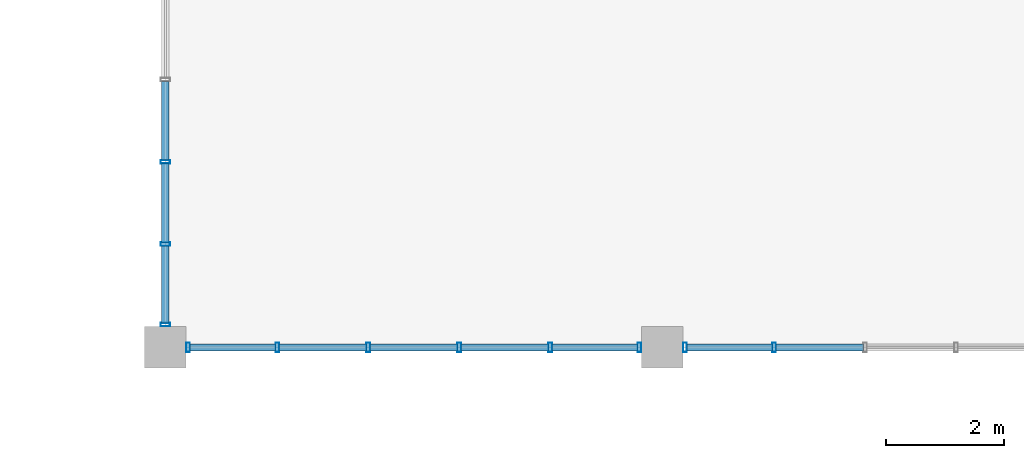
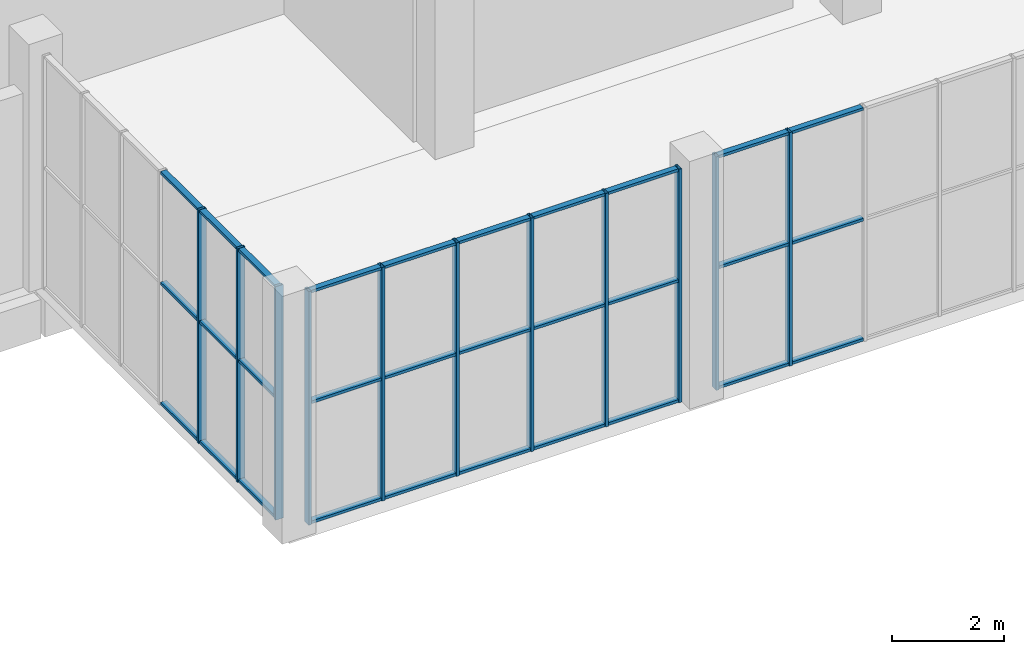
# One storey, part 50 of 91: 41 members, 3 elements without a shape of their own.
"""IFC4 building model written with IfcOpenShell, lengths in metres."""

from ifc_helpers import new_model, si_unit, direction, frame, origin, origin_2d, place, context, subcontext, project, spatial, hollow_rectangle, extrude, material, material_profile, profile_set, type_object, element, aggregate, save


model = new_model("IFC4")

# Units and contexts
model_context = context("Model", 3, precision=1e-05, world=origin(), true_north=direction((0.0, 1.0)))
body_context = subcontext(model_context, "Body", "Model", "MODEL_VIEW")
ifc_project = project(units=[si_unit("LENGTHUNIT", "METRE"), si_unit("AREAUNIT", "SQUARE_METRE"), si_unit("VOLUMEUNIT", "CUBIC_METRE"), si_unit("PLANEANGLEUNIT", "RADIAN"), si_unit("MASSUNIT", "GRAM", prefix="KILO")], contexts=[model_context])

# Site, building, storey
site_placement = place(None, origin())
site = spatial("IfcSite", under=ifc_project, at=site_placement, CompositionType="ELEMENT")
building_placement = place(site_placement, origin())
building = spatial("IfcBuilding", under=site, at=building_placement, Name="Khurvash Pelagic Aquarium", CompositionType="ELEMENT")
storey_placement = place(building_placement, origin())
storey = spatial("IfcBuildingStorey", under=building, at=storey_placement, Name="L00", CompositionType="ELEMENT", Elevation=0.0)

# Curtain wall, members
ifc_material_1 = material(Name="Anodised aluminium and low-E laminated glass", Category="aluminium")
curtain_wall_type_1 = type_object("IfcCurtainWallType", Name="CW-05", PredefinedType="USERDEFINED", material=ifc_material_1)
curtain_wall_1_placement = place(storey_placement, origin())
curtain_wall_1 = element("IfcCurtainWall", 1, at=curtain_wall_1_placement, inside=storey, type_object=curtain_wall_type_1, Name="L00 Facade Unitised Curtain Wall CW-05 0086", ObjectType="UNITISED CURTAIN WALL", PredefinedType="USERDEFINED")
ifc_material_2 = material(Name="Extruded aluminium AW-6063-T6", Category="aluminium")
ifc_material_profile_1 = material_profile(ifc_material_2, hollow_rectangle(XDim=0.06005859375, YDim=0.159912109375, WallThickness=0.00390625, at=origin_2d()), Name="CWM60X160X4")
ifc_profile_set_1 = profile_set([ifc_material_profile_1], Name="Extruded aluminium AW-6063-T6")
member_type_1 = type_object("IfcMemberType", Name="CM-02", PredefinedType="MULLION", material=ifc_profile_set_1)
member_1_placement = place(storey_placement, frame((100.800048828125, 78.135009765625, 0.0), z_axis=(0.0, 0.0, 1.0), x_axis=(0.0, -1.0, 0.0)))
member_1 = element("IfcMember", 2, at=member_1_placement, type_object=member_type_1, Name="CW-05 mullion 5", PredefinedType="MULLION", context=body_context, shape_type="SweptSolid", body=[
    extrude(hollow_rectangle(XDim=0.06005859375, YDim=0.159912109375, WallThickness=0.00390625, at=origin_2d()), origin(), (0.0, 0.0, 1.0), 5.090087890625),
])
member_2_placement = place(storey_placement, frame((100.800048828125, 76.7451171875, 0.0), z_axis=(0.0, 0.0, 1.0), x_axis=(0.0, -1.0, 0.0)))
member_2 = element("IfcMember", 3, at=member_2_placement, type_object=member_type_1, Name="CW-05 mullion 6", PredefinedType="MULLION", context=body_context, shape_type="SweptSolid", body=[
    extrude(hollow_rectangle(XDim=0.06005859375, YDim=0.159912109375, WallThickness=0.00390625, at=origin_2d()), origin(), (0.0, 0.0, 1.0), 5.090087890625),
])
member_3_placement = place(storey_placement, frame((100.800048828125, 75.385009765625, 0.0), z_axis=(0.0, 0.0, 1.0), x_axis=(0.0, -1.0, 0.0)))
member_3 = element("IfcMember", 4, at=member_3_placement, type_object=member_type_1, Name="CW-05 mullion 7", PredefinedType="MULLION", context=body_context, shape_type="SweptSolid", body=[
    extrude(hollow_rectangle(XDim=0.06005859375, YDim=0.159912109375, WallThickness=0.00390625, at=origin_2d()), origin(), (0.0, 0.0, 1.0), 5.090087890625),
])

curtain_wall_type_2 = type_object("IfcCurtainWallType", Name="CW-02", PredefinedType="USERDEFINED", material=ifc_material_1)
curtain_wall_2_placement = place(storey_placement, origin())
curtain_wall_2 = element("IfcCurtainWall", 5, at=curtain_wall_2_placement, inside=storey, type_object=curtain_wall_type_2, Name="L00 Facade Unitised Curtain Wall CW-02 0087", ObjectType="UNITISED CURTAIN WALL", PredefinedType="USERDEFINED")
member_4_placement = place(storey_placement, frame((101.18505859375, 75.0, 0.0), z_axis=(0.0, 0.0, 1.0), x_axis=(1.0, 0.0, 0.0)))
member_4 = element("IfcMember", 6, at=member_4_placement, type_object=member_type_1, Name="CW-02 mullion 1", PredefinedType="MULLION", context=body_context, shape_type="SweptSolid", body=[
    extrude(hollow_rectangle(XDim=0.06005859375, YDim=0.159912109375, WallThickness=0.00390625, at=origin_2d()), origin(), (0.0, 0.0, 1.0), 5.090087890625),
])
member_5_placement = place(storey_placement, frame((102.693115234375, 75.0, 0.0), z_axis=(0.0, 0.0, 1.0), x_axis=(1.0, 0.0, 0.0)))
member_5 = element("IfcMember", 7, at=member_5_placement, type_object=member_type_1, Name="CW-02 mullion 2", PredefinedType="MULLION", context=body_context, shape_type="SweptSolid", body=[
    extrude(hollow_rectangle(XDim=0.06005859375, YDim=0.159912109375, WallThickness=0.00390625, at=origin_2d()), origin(), (0.0, 0.0, 1.0), 5.090087890625),
])
member_6_placement = place(storey_placement, frame((104.23095703125, 75.0, 0.0), z_axis=(0.0, 0.0, 1.0), x_axis=(1.0, 0.0, 0.0)))
member_6 = element("IfcMember", 8, at=member_6_placement, type_object=member_type_1, Name="CW-02 mullion 3", PredefinedType="MULLION", context=body_context, shape_type="SweptSolid", body=[
    extrude(hollow_rectangle(XDim=0.06005859375, YDim=0.159912109375, WallThickness=0.00390625, at=origin_2d()), origin(), (0.0, 0.0, 1.0), 5.090087890625),
])
member_7_placement = place(storey_placement, frame((105.76904296875, 75.0, 0.0), z_axis=(0.0, 0.0, 1.0), x_axis=(1.0, 0.0, 0.0)))
member_7 = element("IfcMember", 9, at=member_7_placement, type_object=member_type_1, Name="CW-02 mullion 4", PredefinedType="MULLION", context=body_context, shape_type="SweptSolid", body=[
    extrude(hollow_rectangle(XDim=0.06005859375, YDim=0.159912109375, WallThickness=0.00390625, at=origin_2d()), origin(), (0.0, 0.0, 1.0), 5.090087890625),
])
member_8_placement = place(storey_placement, frame((107.306884765625, 75.0, 0.0), z_axis=(0.0, 0.0, 1.0), x_axis=(1.0, 0.0, 0.0)))
member_8 = element("IfcMember", 10, at=member_8_placement, type_object=member_type_1, Name="CW-02 mullion 5", PredefinedType="MULLION", context=body_context, shape_type="SweptSolid", body=[
    extrude(hollow_rectangle(XDim=0.06005859375, YDim=0.159912109375, WallThickness=0.00390625, at=origin_2d()), origin(), (0.0, 0.0, 1.0), 5.090087890625),
])
member_9_placement = place(storey_placement, frame((108.81494140625, 75.0, 0.0), z_axis=(0.0, 0.0, 1.0), x_axis=(1.0, 0.0, 0.0)))
member_9 = element("IfcMember", 11, at=member_9_placement, type_object=member_type_1, Name="CW-02 mullion 6", PredefinedType="MULLION", context=body_context, shape_type="SweptSolid", body=[
    extrude(hollow_rectangle(XDim=0.06005859375, YDim=0.159912109375, WallThickness=0.00390625, at=origin_2d()), origin(), (0.0, 0.0, 1.0), 5.090087890625),
])

curtain_wall_3_placement = place(storey_placement, origin())
curtain_wall_3 = element("IfcCurtainWall", 12, at=curtain_wall_3_placement, inside=storey, type_object=curtain_wall_type_2, Name="L00 Facade Unitised Curtain Wall CW-02 0088", ObjectType="UNITISED CURTAIN WALL", PredefinedType="USERDEFINED")
member_10_placement = place(storey_placement, frame((109.5849609375, 75.0, 0.0), z_axis=(0.0, 0.0, 1.0), x_axis=(1.0, 0.0, 0.0)))
member_10 = element("IfcMember", 13, at=member_10_placement, type_object=member_type_1, Name="CW-02 mullion 1", PredefinedType="MULLION", context=body_context, shape_type="SweptSolid", body=[
    extrude(hollow_rectangle(XDim=0.06005859375, YDim=0.159912109375, WallThickness=0.00390625, at=origin_2d()), origin(), (0.0, 0.0, 1.0), 5.090087890625),
])
member_11_placement = place(storey_placement, frame((111.093017578125, 75.0, 0.0), z_axis=(0.0, 0.0, 1.0), x_axis=(1.0, 0.0, 0.0)))
member_11 = element("IfcMember", 14, at=member_11_placement, type_object=member_type_1, Name="CW-02 mullion 2", PredefinedType="MULLION", context=body_context, shape_type="SweptSolid", body=[
    extrude(hollow_rectangle(XDim=0.06005859375, YDim=0.159912109375, WallThickness=0.00390625, at=origin_2d()), origin(), (0.0, 0.0, 1.0), 5.090087890625),
])

# Member
ifc_material_profile_2 = material_profile(ifc_material_2, hollow_rectangle(XDim=0.1201171875, YDim=0.06005859375, WallThickness=0.00390625, at=origin_2d()), Name="CWT120X60X4")
ifc_profile_set_2 = profile_set([ifc_material_profile_2], Name="Extruded aluminium AW-6063-T6")
member_type_2 = type_object("IfcMemberType", Name="CT-02", PredefinedType="USERDEFINED", material=ifc_profile_set_2)
member_12_placement = place(storey_placement, frame((100.800048828125, 79.4951171875, 0.030029296875), z_axis=(0.0, -1.0, 0.0), x_axis=(1.0, 0.0, 0.0)))
member_12 = element("IfcMember", 15, at=member_12_placement, type_object=member_type_2, Name="CW-05 transom 4.1", ObjectType="TRANSOM", PredefinedType="USERDEFINED", context=body_context, shape_type="SweptSolid", body=[
    extrude(hollow_rectangle(XDim=0.1201171875, YDim=0.06005859375, WallThickness=0.00390625, at=origin_2d()), origin(), (0.0, 0.0, 1.0), 1.330078125),
])

member_13_placement = place(storey_placement, frame((100.800048828125, 79.4951171875, 2.64697265625), z_axis=(0.0, -1.0, 0.0), x_axis=(1.0, 0.0, 0.0)))
member_13 = element("IfcMember", 16, at=member_13_placement, type_object=member_type_2, Name="CW-05 transom 4.2", ObjectType="TRANSOM", PredefinedType="USERDEFINED", context=body_context, shape_type="SweptSolid", body=[
    extrude(hollow_rectangle(XDim=0.1201171875, YDim=0.06005859375, WallThickness=0.00390625, at=origin_2d()), origin(), (0.0, 0.0, 1.0), 1.330078125),
])

member_14_placement = place(storey_placement, frame((100.800048828125, 79.4951171875, 5.06005859375), z_axis=(0.0, -1.0, 0.0), x_axis=(1.0, 0.0, 0.0)))
member_14 = element("IfcMember", 17, at=member_14_placement, type_object=member_type_2, Name="CW-05 transom 4.3", ObjectType="TRANSOM", PredefinedType="USERDEFINED", context=body_context, shape_type="SweptSolid", body=[
    extrude(hollow_rectangle(XDim=0.1201171875, YDim=0.06005859375, WallThickness=0.00390625, at=origin_2d()), origin(), (0.0, 0.0, 1.0), 1.330078125),
])

member_15_placement = place(storey_placement, frame((100.800048828125, 78.10498046875, 0.030029296875), z_axis=(0.0, -1.0, 0.0), x_axis=(1.0, 0.0, 0.0)))
member_15 = element("IfcMember", 18, at=member_15_placement, type_object=member_type_2, Name="CW-05 transom 5.1", ObjectType="TRANSOM", PredefinedType="USERDEFINED", context=body_context, shape_type="SweptSolid", body=[
    extrude(hollow_rectangle(XDim=0.1201171875, YDim=0.06005859375, WallThickness=0.00390625, at=origin_2d()), origin(), (0.0, 0.0, 1.0), 1.330078125),
])

member_16_placement = place(storey_placement, frame((100.800048828125, 78.10498046875, 2.64697265625), z_axis=(0.0, -1.0, 0.0), x_axis=(1.0, 0.0, 0.0)))
member_16 = element("IfcMember", 19, at=member_16_placement, type_object=member_type_2, Name="CW-05 transom 5.2", ObjectType="TRANSOM", PredefinedType="USERDEFINED", context=body_context, shape_type="SweptSolid", body=[
    extrude(hollow_rectangle(XDim=0.1201171875, YDim=0.06005859375, WallThickness=0.00390625, at=origin_2d()), origin(), (0.0, 0.0, 1.0), 1.330078125),
])

member_17_placement = place(storey_placement, frame((100.800048828125, 78.10498046875, 5.06005859375), z_axis=(0.0, -1.0, 0.0), x_axis=(1.0, 0.0, 0.0)))
member_17 = element("IfcMember", 20, at=member_17_placement, type_object=member_type_2, Name="CW-05 transom 5.3", ObjectType="TRANSOM", PredefinedType="USERDEFINED", context=body_context, shape_type="SweptSolid", body=[
    extrude(hollow_rectangle(XDim=0.1201171875, YDim=0.06005859375, WallThickness=0.00390625, at=origin_2d()), origin(), (0.0, 0.0, 1.0), 1.330078125),
])

member_18_placement = place(storey_placement, frame((100.800048828125, 76.715087890625, 0.030029296875), z_axis=(0.0, -1.0, 0.0), x_axis=(1.0, 0.0, 0.0)))
member_18 = element("IfcMember", 21, at=member_18_placement, type_object=member_type_2, Name="CW-05 transom 6.1", ObjectType="TRANSOM", PredefinedType="USERDEFINED", context=body_context, shape_type="SweptSolid", body=[
    extrude(hollow_rectangle(XDim=0.1201171875, YDim=0.06005859375, WallThickness=0.00390625, at=origin_2d()), origin(), (0.0, 0.0, 1.0), 1.300048828125),
])

member_19_placement = place(storey_placement, frame((100.800048828125, 76.715087890625, 2.64697265625), z_axis=(0.0, -1.0, 0.0), x_axis=(1.0, 0.0, 0.0)))
member_19 = element("IfcMember", 22, at=member_19_placement, type_object=member_type_2, Name="CW-05 transom 6.2", ObjectType="TRANSOM", PredefinedType="USERDEFINED", context=body_context, shape_type="SweptSolid", body=[
    extrude(hollow_rectangle(XDim=0.1201171875, YDim=0.06005859375, WallThickness=0.00390625, at=origin_2d()), origin(), (0.0, 0.0, 1.0), 1.300048828125),
])

member_20_placement = place(storey_placement, frame((100.800048828125, 76.715087890625, 5.06005859375), z_axis=(0.0, -1.0, 0.0), x_axis=(1.0, 0.0, 0.0)))
member_20 = element("IfcMember", 23, at=member_20_placement, type_object=member_type_2, Name="CW-05 transom 6.3", ObjectType="TRANSOM", PredefinedType="USERDEFINED", context=body_context, shape_type="SweptSolid", body=[
    extrude(hollow_rectangle(XDim=0.1201171875, YDim=0.06005859375, WallThickness=0.00390625, at=origin_2d()), origin(), (0.0, 0.0, 1.0), 1.300048828125),
])

aggregate(curtain_wall_1, [member_1, member_2, member_3, member_12, member_13, member_14, member_15, member_16, member_17, member_18, member_19, member_20])

member_21_placement = place(storey_placement, frame((101.215087890625, 75.0, 0.030029296875), z_axis=(1.0, 0.0, 0.0), x_axis=(0.0, 1.0, 0.0)))
member_21 = element("IfcMember", 24, at=member_21_placement, type_object=member_type_2, Name="CW-02 transom 1.1", ObjectType="TRANSOM", PredefinedType="USERDEFINED", context=body_context, shape_type="SweptSolid", body=[
    extrude(hollow_rectangle(XDim=0.1201171875, YDim=0.06005859375, WallThickness=0.00390625, at=origin_2d()), origin(), (0.0, 0.0, 1.0), 1.447998046875),
])

member_22_placement = place(storey_placement, frame((101.215087890625, 75.0, 2.64697265625), z_axis=(1.0, 0.0, 0.0), x_axis=(0.0, 1.0, 0.0)))
member_22 = element("IfcMember", 25, at=member_22_placement, type_object=member_type_2, Name="CW-02 transom 1.2", ObjectType="TRANSOM", PredefinedType="USERDEFINED", context=body_context, shape_type="SweptSolid", body=[
    extrude(hollow_rectangle(XDim=0.1201171875, YDim=0.06005859375, WallThickness=0.00390625, at=origin_2d()), origin(), (0.0, 0.0, 1.0), 1.447998046875),
])

member_23_placement = place(storey_placement, frame((101.215087890625, 75.0, 5.06005859375), z_axis=(1.0, 0.0, 0.0), x_axis=(0.0, 1.0, 0.0)))
member_23 = element("IfcMember", 26, at=member_23_placement, type_object=member_type_2, Name="CW-02 transom 1.3", ObjectType="TRANSOM", PredefinedType="USERDEFINED", context=body_context, shape_type="SweptSolid", body=[
    extrude(hollow_rectangle(XDim=0.1201171875, YDim=0.06005859375, WallThickness=0.00390625, at=origin_2d()), origin(), (0.0, 0.0, 1.0), 1.447998046875),
])

member_24_placement = place(storey_placement, frame((102.722900390625, 75.0, 0.030029296875), z_axis=(1.0, 0.0, 0.0), x_axis=(0.0, 1.0, 0.0)))
member_24 = element("IfcMember", 27, at=member_24_placement, type_object=member_type_2, Name="CW-02 transom 2.1", ObjectType="TRANSOM", PredefinedType="USERDEFINED", context=body_context, shape_type="SweptSolid", body=[
    extrude(hollow_rectangle(XDim=0.1201171875, YDim=0.06005859375, WallThickness=0.00390625, at=origin_2d()), origin(), (0.0, 0.0, 1.0), 1.47802734375),
])

member_25_placement = place(storey_placement, frame((102.722900390625, 75.0, 2.64697265625), z_axis=(1.0, 0.0, 0.0), x_axis=(0.0, 1.0, 0.0)))
member_25 = element("IfcMember", 28, at=member_25_placement, type_object=member_type_2, Name="CW-02 transom 2.2", ObjectType="TRANSOM", PredefinedType="USERDEFINED", context=body_context, shape_type="SweptSolid", body=[
    extrude(hollow_rectangle(XDim=0.1201171875, YDim=0.06005859375, WallThickness=0.00390625, at=origin_2d()), origin(), (0.0, 0.0, 1.0), 1.47802734375),
])

member_26_placement = place(storey_placement, frame((102.722900390625, 75.0, 5.06005859375), z_axis=(1.0, 0.0, 0.0), x_axis=(0.0, 1.0, 0.0)))
member_26 = element("IfcMember", 29, at=member_26_placement, type_object=member_type_2, Name="CW-02 transom 2.3", ObjectType="TRANSOM", PredefinedType="USERDEFINED", context=body_context, shape_type="SweptSolid", body=[
    extrude(hollow_rectangle(XDim=0.1201171875, YDim=0.06005859375, WallThickness=0.00390625, at=origin_2d()), origin(), (0.0, 0.0, 1.0), 1.47802734375),
])

member_27_placement = place(storey_placement, frame((104.260986328125, 75.0, 0.030029296875), z_axis=(1.0, 0.0, 0.0), x_axis=(0.0, 1.0, 0.0)))
member_27 = element("IfcMember", 30, at=member_27_placement, type_object=member_type_2, Name="CW-02 transom 3.1", ObjectType="TRANSOM", PredefinedType="USERDEFINED", context=body_context, shape_type="SweptSolid", body=[
    extrude(hollow_rectangle(XDim=0.1201171875, YDim=0.06005859375, WallThickness=0.00390625, at=origin_2d()), origin(), (0.0, 0.0, 1.0), 1.47802734375),
])

member_28_placement = place(storey_placement, frame((104.260986328125, 75.0, 2.64697265625), z_axis=(1.0, 0.0, 0.0), x_axis=(0.0, 1.0, 0.0)))
member_28 = element("IfcMember", 31, at=member_28_placement, type_object=member_type_2, Name="CW-02 transom 3.2", ObjectType="TRANSOM", PredefinedType="USERDEFINED", context=body_context, shape_type="SweptSolid", body=[
    extrude(hollow_rectangle(XDim=0.1201171875, YDim=0.06005859375, WallThickness=0.00390625, at=origin_2d()), origin(), (0.0, 0.0, 1.0), 1.47802734375),
])

member_29_placement = place(storey_placement, frame((104.260986328125, 75.0, 5.06005859375), z_axis=(1.0, 0.0, 0.0), x_axis=(0.0, 1.0, 0.0)))
member_29 = element("IfcMember", 32, at=member_29_placement, type_object=member_type_2, Name="CW-02 transom 3.3", ObjectType="TRANSOM", PredefinedType="USERDEFINED", context=body_context, shape_type="SweptSolid", body=[
    extrude(hollow_rectangle(XDim=0.1201171875, YDim=0.06005859375, WallThickness=0.00390625, at=origin_2d()), origin(), (0.0, 0.0, 1.0), 1.47802734375),
])

member_30_placement = place(storey_placement, frame((105.799072265625, 75.0, 0.030029296875), z_axis=(1.0, 0.0, 0.0), x_axis=(0.0, 1.0, 0.0)))
member_30 = element("IfcMember", 33, at=member_30_placement, type_object=member_type_2, Name="CW-02 transom 4.1", ObjectType="TRANSOM", PredefinedType="USERDEFINED", context=body_context, shape_type="SweptSolid", body=[
    extrude(hollow_rectangle(XDim=0.1201171875, YDim=0.06005859375, WallThickness=0.00390625, at=origin_2d()), origin(), (0.0, 0.0, 1.0), 1.47802734375),
])

member_31_placement = place(storey_placement, frame((105.799072265625, 75.0, 2.64697265625), z_axis=(1.0, 0.0, 0.0), x_axis=(0.0, 1.0, 0.0)))
member_31 = element("IfcMember", 34, at=member_31_placement, type_object=member_type_2, Name="CW-02 transom 4.2", ObjectType="TRANSOM", PredefinedType="USERDEFINED", context=body_context, shape_type="SweptSolid", body=[
    extrude(hollow_rectangle(XDim=0.1201171875, YDim=0.06005859375, WallThickness=0.00390625, at=origin_2d()), origin(), (0.0, 0.0, 1.0), 1.47802734375),
])

member_32_placement = place(storey_placement, frame((105.799072265625, 75.0, 5.06005859375), z_axis=(1.0, 0.0, 0.0), x_axis=(0.0, 1.0, 0.0)))
member_32 = element("IfcMember", 35, at=member_32_placement, type_object=member_type_2, Name="CW-02 transom 4.3", ObjectType="TRANSOM", PredefinedType="USERDEFINED", context=body_context, shape_type="SweptSolid", body=[
    extrude(hollow_rectangle(XDim=0.1201171875, YDim=0.06005859375, WallThickness=0.00390625, at=origin_2d()), origin(), (0.0, 0.0, 1.0), 1.47802734375),
])

member_33_placement = place(storey_placement, frame((107.3369140625, 75.0, 0.030029296875), z_axis=(1.0, 0.0, 0.0), x_axis=(0.0, 1.0, 0.0)))
member_33 = element("IfcMember", 36, at=member_33_placement, type_object=member_type_2, Name="CW-02 transom 5.1", ObjectType="TRANSOM", PredefinedType="USERDEFINED", context=body_context, shape_type="SweptSolid", body=[
    extrude(hollow_rectangle(XDim=0.1201171875, YDim=0.06005859375, WallThickness=0.00390625, at=origin_2d()), origin(), (0.0, 0.0, 1.0), 1.447998046875),
])

member_34_placement = place(storey_placement, frame((107.3369140625, 75.0, 2.64697265625), z_axis=(1.0, 0.0, 0.0), x_axis=(0.0, 1.0, 0.0)))
member_34 = element("IfcMember", 37, at=member_34_placement, type_object=member_type_2, Name="CW-02 transom 5.2", ObjectType="TRANSOM", PredefinedType="USERDEFINED", context=body_context, shape_type="SweptSolid", body=[
    extrude(hollow_rectangle(XDim=0.1201171875, YDim=0.06005859375, WallThickness=0.00390625, at=origin_2d()), origin(), (0.0, 0.0, 1.0), 1.447998046875),
])

member_35_placement = place(storey_placement, frame((107.3369140625, 75.0, 5.06005859375), z_axis=(1.0, 0.0, 0.0), x_axis=(0.0, 1.0, 0.0)))
member_35 = element("IfcMember", 38, at=member_35_placement, type_object=member_type_2, Name="CW-02 transom 5.3", ObjectType="TRANSOM", PredefinedType="USERDEFINED", context=body_context, shape_type="SweptSolid", body=[
    extrude(hollow_rectangle(XDim=0.1201171875, YDim=0.06005859375, WallThickness=0.00390625, at=origin_2d()), origin(), (0.0, 0.0, 1.0), 1.447998046875),
])

aggregate(curtain_wall_2, [member_4, member_5, member_6, member_7, member_8, member_9, member_21, member_22, member_23, member_24, member_25, member_26, member_27, member_28, member_29, member_30, member_31, member_32, member_33, member_34, member_35])

member_36_placement = place(storey_placement, frame((109.614990234375, 75.0, 0.030029296875), z_axis=(1.0, 0.0, 0.0), x_axis=(0.0, 1.0, 0.0)))
member_36 = element("IfcMember", 39, at=member_36_placement, type_object=member_type_2, Name="CW-02 transom 1.1", ObjectType="TRANSOM", PredefinedType="USERDEFINED", context=body_context, shape_type="SweptSolid", body=[
    extrude(hollow_rectangle(XDim=0.1201171875, YDim=0.06005859375, WallThickness=0.00390625, at=origin_2d()), origin(), (0.0, 0.0, 1.0), 1.447998046875),
])

member_37_placement = place(storey_placement, frame((109.614990234375, 75.0, 2.64697265625), z_axis=(1.0, 0.0, 0.0), x_axis=(0.0, 1.0, 0.0)))
member_37 = element("IfcMember", 40, at=member_37_placement, type_object=member_type_2, Name="CW-02 transom 1.2", ObjectType="TRANSOM", PredefinedType="USERDEFINED", context=body_context, shape_type="SweptSolid", body=[
    extrude(hollow_rectangle(XDim=0.1201171875, YDim=0.06005859375, WallThickness=0.00390625, at=origin_2d()), origin(), (0.0, 0.0, 1.0), 1.447998046875),
])

member_38_placement = place(storey_placement, frame((109.614990234375, 75.0, 5.06005859375), z_axis=(1.0, 0.0, 0.0), x_axis=(0.0, 1.0, 0.0)))
member_38 = element("IfcMember", 41, at=member_38_placement, type_object=member_type_2, Name="CW-02 transom 1.3", ObjectType="TRANSOM", PredefinedType="USERDEFINED", context=body_context, shape_type="SweptSolid", body=[
    extrude(hollow_rectangle(XDim=0.1201171875, YDim=0.06005859375, WallThickness=0.00390625, at=origin_2d()), origin(), (0.0, 0.0, 1.0), 1.447998046875),
])

member_39_placement = place(storey_placement, frame((111.123046875, 75.0, 0.030029296875), z_axis=(1.0, 0.0, 0.0), x_axis=(0.0, 1.0, 0.0)))
member_39 = element("IfcMember", 42, at=member_39_placement, type_object=member_type_2, Name="CW-02 transom 2.1", ObjectType="TRANSOM", PredefinedType="USERDEFINED", context=body_context, shape_type="SweptSolid", body=[
    extrude(hollow_rectangle(XDim=0.1201171875, YDim=0.06005859375, WallThickness=0.00390625, at=origin_2d()), origin(), (0.0, 0.0, 1.0), 1.47802734375),
])

member_40_placement = place(storey_placement, frame((111.123046875, 75.0, 2.64697265625), z_axis=(1.0, 0.0, 0.0), x_axis=(0.0, 1.0, 0.0)))
member_40 = element("IfcMember", 43, at=member_40_placement, type_object=member_type_2, Name="CW-02 transom 2.2", ObjectType="TRANSOM", PredefinedType="USERDEFINED", context=body_context, shape_type="SweptSolid", body=[
    extrude(hollow_rectangle(XDim=0.1201171875, YDim=0.06005859375, WallThickness=0.00390625, at=origin_2d()), origin(), (0.0, 0.0, 1.0), 1.47802734375),
])

member_41_placement = place(storey_placement, frame((111.123046875, 75.0, 5.06005859375), z_axis=(1.0, 0.0, 0.0), x_axis=(0.0, 1.0, 0.0)))
member_41 = element("IfcMember", 44, at=member_41_placement, type_object=member_type_2, Name="CW-02 transom 2.3", ObjectType="TRANSOM", PredefinedType="USERDEFINED", context=body_context, shape_type="SweptSolid", body=[
    extrude(hollow_rectangle(XDim=0.1201171875, YDim=0.06005859375, WallThickness=0.00390625, at=origin_2d()), origin(), (0.0, 0.0, 1.0), 1.47802734375),
])

aggregate(curtain_wall_3, [member_10, member_11, member_36, member_37, member_38, member_39, member_40, member_41])

save(model, "model.ifc")
